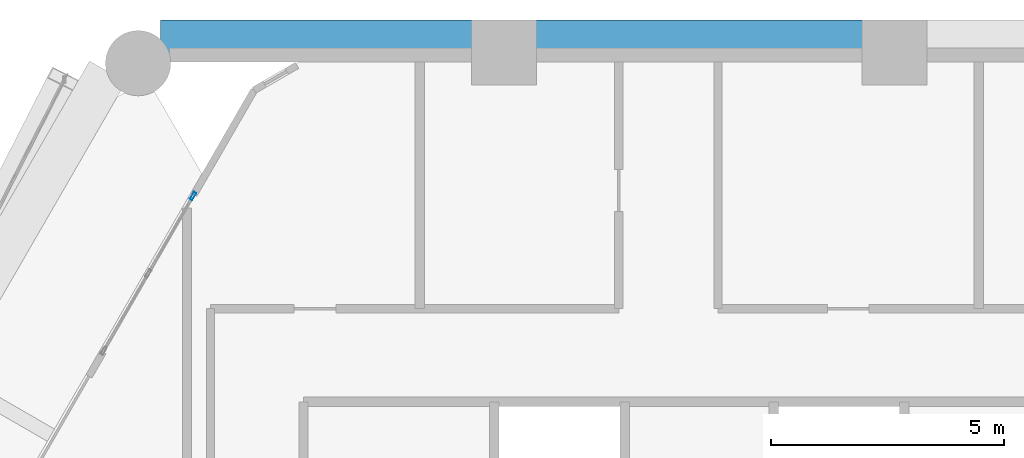
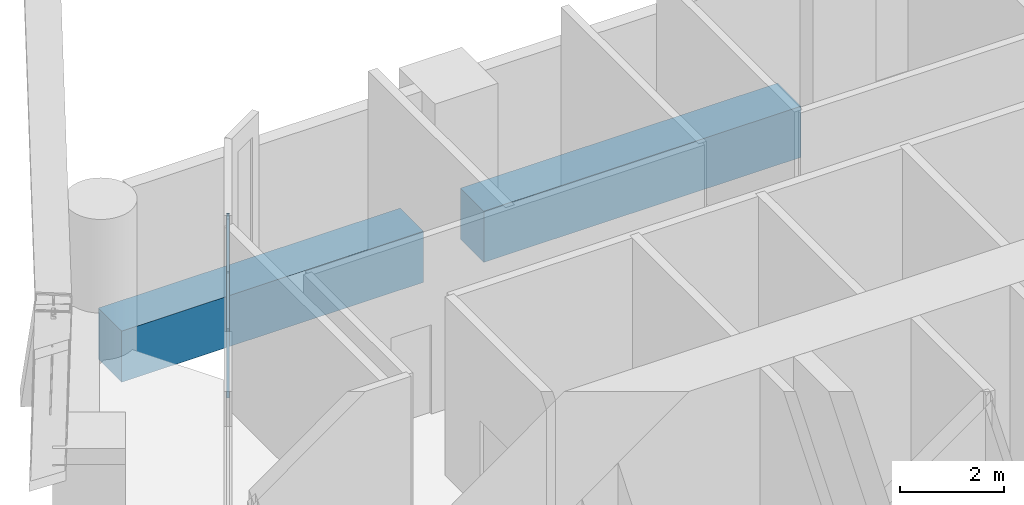
# One storey, part 29 of 46: 2 beams, 1 member, 1 element without a shape of its own.
"""IFC4 building model written with IfcOpenShell, lengths in metres."""

import ifcopenshell
import ifcopenshell.guid

model = None  # the IFC model being written
_history = None  # IfcOwnerHistory: only IFC2X3 demands one
_inside = {}  # id of a spatial element -> (the spatial element, [elements in it])
_under = {}  # id of a project, library or spatial element -> (it, [spatial elements below it])
_declared = {}  # id of a project -> (the project, [libraries it declares])
_typed = {}  # id of a type object -> (the type object, [elements of that type])
_made_of = {}  # id of a material, layer set ... -> (it, [elements and type objects made of it])


def new_model(schema):
    """Start an empty IFC model of exactly this schema.

    Asked for "IFC4X3", IfcOpenShell would pick the latest addendum, in which some entities
    have other attributes; the version numbers below select the first issue.
    IFC2X3 requires an IfcOwnerHistory on every rooted entity: one is made here for all.
    """
    global model, _history
    if schema == "IFC4X3":
        model = ifcopenshell.file(schema_version=(4, 3, 0, 0))
    else:
        model = ifcopenshell.file(schema=schema)
    _inside.clear()
    _under.clear()
    _declared.clear()
    _typed.clear()
    _made_of.clear()
    _history = None
    if model.schema == "IFC2X3":
        org = make("IfcOrganization", Name="unknown")
        user = make(
            "IfcPersonAndOrganization",
            ThePerson=make("IfcPerson", FamilyName="unknown"),
            TheOrganization=org,
        )
        app = make(
            "IfcApplication",
            ApplicationDeveloper=org,
            Version="unknown",
            ApplicationFullName="unknown",
            ApplicationIdentifier="unknown",
        )
        _history = make(
            "IfcOwnerHistory",
            OwningUser=user,
            OwningApplication=app,
            ChangeAction="ADDED",
            CreationDate=0,
        )
    return model


def make(cls, **values):
    """One entity of the class cls with the attributes given. An attribute that is None is left unset."""
    return model.create_entity(
        cls, **{name: value for name, value in values.items() if value is not None}
    )


def rooted(cls, **values):
    """An entity with a GlobalId (a new one), such as an element, a storey or a relation."""
    return make(cls, GlobalId=ifcopenshell.guid.new(), OwnerHistory=_history, **values)


def si_unit(unit_type, name, prefix=None):
    """IfcSIUnit, for example si_unit("LENGTHUNIT", "METRE", prefix="MILLI")."""
    return make("IfcSIUnit", UnitType=unit_type, Prefix=prefix, Name=name)


def assignment(units):
    """IfcUnitAssignment: the units of a project."""
    return None if units is None else make("IfcUnitAssignment", Units=units)


def point(xyz):
    """IfcCartesianPoint."""
    return None if xyz is None else make("IfcCartesianPoint", Coordinates=xyz)


def direction(xyz):
    """IfcDirection."""
    return None if xyz is None else make("IfcDirection", DirectionRatios=xyz)


def frame(location, z_axis=None, x_axis=None):
    """IfcAxis2Placement3D, a coordinate frame: its origin and axes. An axis left out is left unset."""
    return make(
        "IfcAxis2Placement3D",
        Location=point(location),
        Axis=direction(z_axis),
        RefDirection=direction(x_axis),
    )


def frame_2d(location, x_axis=None):
    """IfcAxis2Placement2D, a coordinate frame in the plane: its origin and x axis."""
    return make(
        "IfcAxis2Placement2D", Location=point(location), RefDirection=direction(x_axis)
    )


def origin():
    """The frame at (0, 0, 0) with its axes left unset."""
    return frame((0.0, 0.0, 0.0))


def origin_2d():
    """The frame at (0, 0) in the plane with its x axis left unset."""
    return frame_2d((0.0, 0.0))


def place(relative_to, where):
    """IfcLocalPlacement: puts the frame where relative to a parent placement (None: the world)."""
    return make(
        "IfcLocalPlacement", PlacementRelTo=relative_to, RelativePlacement=where
    )


def context(
    kind, dimensions, precision=None, world=None, true_north=None, identifier=None
):
    """IfcGeometricRepresentationContext, for example the 3D "Model" context."""
    return make(
        "IfcGeometricRepresentationContext",
        ContextIdentifier=identifier,
        ContextType=kind,
        CoordinateSpaceDimension=dimensions,
        Precision=precision,
        WorldCoordinateSystem=world,
        TrueNorth=true_north,
    )


def subcontext(parent, identifier, kind, view, scale=None):
    """IfcGeometricRepresentationSubContext, for example "Body" below "Model"."""
    return make(
        "IfcGeometricRepresentationSubContext",
        ContextIdentifier=identifier,
        ContextType=kind,
        ParentContext=parent,
        TargetScale=scale,
        TargetView=view,
    )


def project(units=None, contexts=None):
    """IfcProject with its units and contexts."""
    return rooted(
        "IfcProject",
        Name="project",
        RepresentationContexts=contexts,
        UnitsInContext=assignment(units),
    )


def spatial(cls, under=None, at=None, **own):
    """A site, building, storey or space (cls), placed at a placement, below another one or the project."""
    s = rooted(cls, ObjectPlacement=at, **own)
    if under is not None:
        _under.setdefault(under.id(), (under, []))[1].append(s)
    return s


def profile(cls, at=None, kind="AREA", **sizes):
    """A parametric profile (cls). Its sizes go by their IFC names, for example OverallWidth=200.0."""
    return make(cls, ProfileType=kind, Position=at, **sizes)


def rectangle(**sizes):
    """IfcRectangleProfileDef."""
    return profile("IfcRectangleProfileDef", **sizes)


def hollow_rectangle(**sizes):
    """IfcRectangleHollowProfileDef."""
    return profile("IfcRectangleHollowProfileDef", **sizes)


def extrude(swept, where, along, depth):
    """IfcExtrudedAreaSolid: the profile swept, set in the frame where, extruded along a direction by depth."""
    return make(
        "IfcExtrudedAreaSolid",
        SweptArea=swept,
        Position=where,
        ExtrudedDirection=direction(along),
        Depth=depth,
    )


def shape(context_of_items, identifier, shape_type, items):
    """IfcShapeRepresentation: the items that make up one representation, for example the "Body"."""
    return make(
        "IfcShapeRepresentation",
        ContextOfItems=context_of_items,
        RepresentationIdentifier=identifier,
        RepresentationType=shape_type,
        Items=items,
    )


def material(Name=None, Category=None):
    """IfcMaterial."""
    return make("IfcMaterial", Name=Name, Category=Category)


def material_profile(
    of_material, cross_section, Name=None, Category=None, Priority=None
):
    """IfcMaterialProfile: a cross section and its material."""
    return make(
        "IfcMaterialProfile",
        Name=Name,
        Material=of_material,
        Profile=cross_section,
        Priority=Priority,
        Category=Category,
    )


def profile_set(profiles, Name=None, composite=None):
    """IfcMaterialProfileSet."""
    return make(
        "IfcMaterialProfileSet",
        Name=Name,
        MaterialProfiles=profiles,
        CompositeProfile=composite,
    )


def made_of(thing, what):
    """Note that an element or type object is made of a material, layer set ...; save() writes the relation."""
    if what is not None:
        _made_of.setdefault(what.id(), (what, []))[1].append(thing)
    return thing


def type_object(cls, material=None, **own):
    """A type object (cls), such as IfcWallType, which elements share."""
    return made_of(rooted(cls, **own), material)


def element(
    cls,
    number,
    at=None,
    inside=None,
    cuts=None,
    type_object=None,
    material=None,
    context=None,
    identifier="Body",
    shape_type=None,
    held_by="IfcProductDefinitionShape",
    body=None,
    shapes=None,
    **own,
):
    """One element of the class cls, such as IfcWall. Its Tag is "e" and its number.

    at: its placement. inside: the storey or other place that contains it. cuts: it is an
    opening in that element (IfcRelVoidsElement). A single representation is given by context,
    identifier, shape_type and body (its items); several are given by shapes. held_by: the class
    of the entity that holds the representations. save() writes the other relations.
    """
    e = rooted(cls, Tag="e%d" % number, ObjectPlacement=at, **own)
    if body is not None:
        shapes = [shape(context, identifier, shape_type, body)]
    if shapes is not None:
        e.Representation = make(held_by, Representations=shapes)
    if inside is not None:
        _inside.setdefault(inside.id(), (inside, []))[1].append(e)
    if cuts is not None:
        rooted(
            "IfcRelVoidsElement", RelatingBuildingElement=cuts, RelatedOpeningElement=e
        )
    if type_object is not None:
        _typed.setdefault(type_object.id(), (type_object, []))[1].append(e)
    return made_of(e, material)


def aggregate(whole, parts):
    """IfcRelAggregates: a whole, such as a stair, and the parts it consists of."""
    return rooted("IfcRelAggregates", RelatingObject=whole, RelatedObjects=parts)


def save(model, path):
    """Write the relations noted so far, then the file.

    IfcRelAggregates (storeys below a building ...), IfcRelContainedInSpatialStructure (elements
    in a storey), IfcRelDefinesByType, IfcRelAssociatesMaterial and IfcRelDeclares: one each for
    every whole, place, type object, material and project.
    """
    for whole, parts in _under.values():
        aggregate(whole, parts)
    for where, things in _inside.values():
        rooted(
            "IfcRelContainedInSpatialStructure",
            RelatedElements=things,
            RelatingStructure=where,
        )
    for kind, things in _typed.values():
        rooted("IfcRelDefinesByType", RelatedObjects=things, RelatingType=kind)
    for what, things in _made_of.values():
        rooted("IfcRelAssociatesMaterial", RelatedObjects=things, RelatingMaterial=what)
    for by, libraries in _declared.values():
        rooted("IfcRelDeclares", RelatingContext=by, RelatedDefinitions=libraries)
    model.write(path)


model = new_model("IFC4")

# Units and contexts
model_context = context("Model", 3, precision=1e-05, world=origin(), true_north=direction((0.0, 1.0)))
body_context = subcontext(model_context, "Body", "Model", "MODEL_VIEW")
ifc_project = project(units=[si_unit("LENGTHUNIT", "METRE"), si_unit("AREAUNIT", "SQUARE_METRE"), si_unit("VOLUMEUNIT", "CUBIC_METRE"), si_unit("PLANEANGLEUNIT", "RADIAN"), si_unit("MASSUNIT", "GRAM", prefix="KILO")], contexts=[model_context])

# Site, building, storey
site_placement = place(None, origin())
site = spatial("IfcSite", under=ifc_project, at=site_placement, CompositionType="ELEMENT")
building_placement = place(site_placement, origin())
building = spatial("IfcBuilding", under=site, at=building_placement, Name="Ostrander Bayou Hotel Tower", CompositionType="ELEMENT")
storey_placement = place(building_placement, frame((0.0, 0.0, 23.5)))
storey = spatial("IfcBuildingStorey", under=building, at=storey_placement, Name="L05", CompositionType="ELEMENT", Elevation=23.5)

# Curtain wall, member
ifc_material_1 = material(Name="Aluminium and clear glass", Category="aluminium")
curtain_wall_type = type_object("IfcCurtainWallType", Name="CW-SKY amenity glass wall", PredefinedType="NOTDEFINED", material=ifc_material_1)
curtain_wall_placement = place(storey_placement, origin())
curtain_wall = element("IfcCurtainWall", 1, at=curtain_wall_placement, inside=storey, type_object=curtain_wall_type, Name="CW-SKY L05 NW 1", PredefinedType="NOTDEFINED")
ifc_material_2 = material(Name="Aluminium", Category="aluminium")
ifc_material_profile_1 = material_profile(ifc_material_2, hollow_rectangle(XDim=0.06005859375, YDim=0.179931640625, WallThickness=0.00390625, at=origin_2d()))
ifc_profile_set_1 = profile_set([ifc_material_profile_1], Name="Aluminium")
member_type = type_object("IfcMemberType", Name="CW-SK mullion 60 x 180 mm", PredefinedType="MULLION", material=ifc_profile_set_1)
member_placement = place(storey_placement, frame((-10.87158203125, 18.02001953125, 0.0), z_axis=(0.0, 0.0, 1.0), x_axis=(0.866025463091, -0.499999897278, 0.0)))
member = element("IfcMember", 2, at=member_placement, type_object=member_type, Name="CW-SKY mullion 1", PredefinedType="MULLION", context=body_context, shape_type="SweptSolid", body=[
    extrude(hollow_rectangle(XDim=0.06005859375, YDim=0.179931640625, WallThickness=0.00390625, at=origin_2d()), origin(), (0.0, 0.0, 1.0), 4.199951171875),
])
aggregate(curtain_wall, [member])

# Beams
ifc_material_3 = material(Name="Concrete f'c 70 MPa", Category="concrete")
ifc_material_profile_2 = material_profile(ifc_material_3, rectangle(XDim=0.89990234375, YDim=1.199951171875, at=origin_2d()))
ifc_profile_set_2 = profile_set([ifc_material_profile_2], Name="Concrete f'c 70 MPa")
beam_type = type_object("IfcBeamType", Name="SP1 spandrel beam 900 x 1200 mm f'c 70 MPa", PredefinedType="SPANDREL", material=ifc_profile_set_2)
beam_1_placement = place(storey_placement, frame((3.525390625, 21.35009765625, -0.60009765625), z_axis=(-1.0, 0.0, 0.0), x_axis=(0.0, -1.0, 0.0)))
element("IfcBeam", 3, at=beam_1_placement, inside=storey, type_object=beam_type, Name="SP1 L05 N-2", PredefinedType="SPANDREL", context=body_context, shape_type="SweptSolid", body=[
    extrude(rectangle(XDim=0.89990234375, YDim=1.199951171875, at=origin_2d()), origin(), (0.0, 0.0, 1.0), 7.05078125),
])
beam_2_placement = place(storey_placement, frame((-4.865478515625, 21.35009765625, -0.60009765625), z_axis=(-1.0, 0.0, 0.0), x_axis=(0.0, -1.0, 0.0)))
element("IfcBeam", 4, at=beam_2_placement, inside=storey, type_object=beam_type, Name="SP1 L05 N-3", PredefinedType="SPANDREL", context=body_context, shape_type="SweptSolid", body=[
    extrude(rectangle(XDim=0.89990234375, YDim=1.199951171875, at=origin_2d()), origin(), (0.0, 0.0, 1.0), 6.70361328125),
])

save(model, "model.ifc")
